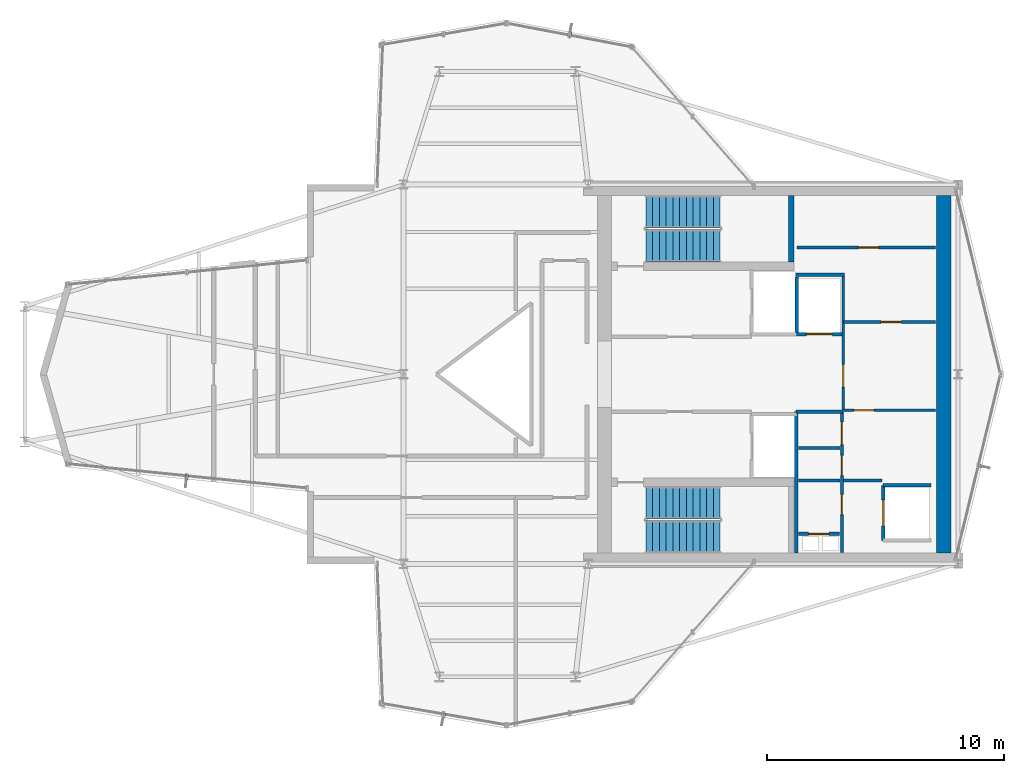
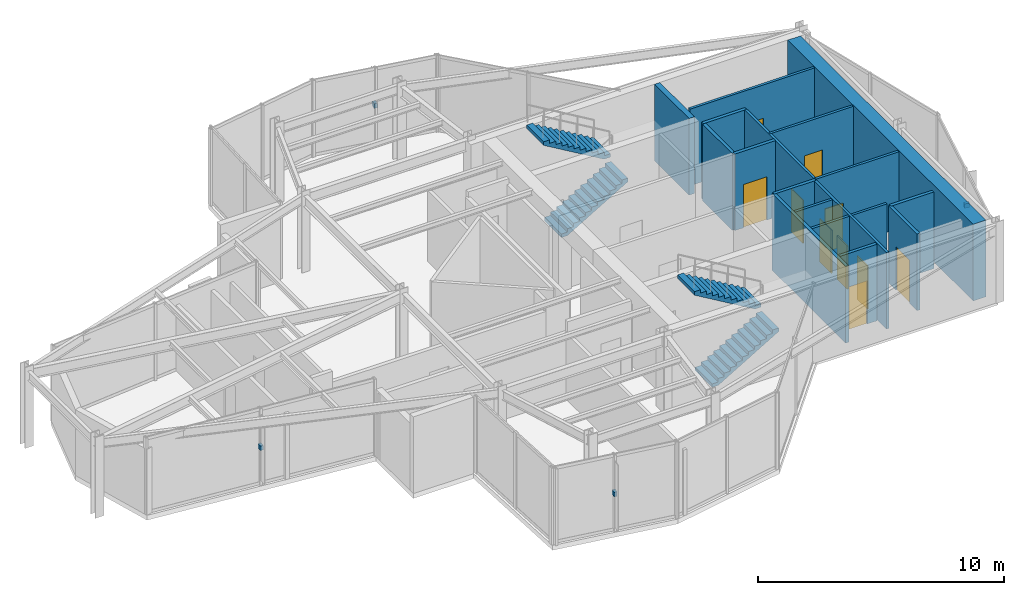
# One storey, part 13 of 14: 18 walls, 10 doors, 4 discrete accessories, 4 stair flights, 10 openings, 2 elements without a shape of their own.
"""IFC4 building model written with IfcOpenShell, lengths in metres."""

from ifc_helpers import new_model, si_unit, direction, frame, frame_2d, origin, origin_2d, place, context, subcontext, project, spatial, polyline, rectangle, outline, extrude, material, layer, layer_set, type_object, element, fill, aggregate, save


model = new_model("IFC4")

# Units and contexts
model_context = context("Model", 3, precision=1e-05, world=origin(), true_north=direction((0.0, 1.0)))
body_context = subcontext(model_context, "Body", "Model", "MODEL_VIEW")
ifc_project = project(units=[si_unit("LENGTHUNIT", "METRE"), si_unit("AREAUNIT", "SQUARE_METRE"), si_unit("VOLUMEUNIT", "CUBIC_METRE"), si_unit("PLANEANGLEUNIT", "RADIAN"), si_unit("MASSUNIT", "GRAM", prefix="KILO")], contexts=[model_context])

# Site, building, storey
site_placement = place(None, origin())
site = spatial("IfcSite", under=ifc_project, at=site_placement, CompositionType="ELEMENT")
building_placement = place(site_placement, origin())
building = spatial("IfcBuilding", under=site, at=building_placement, Name="Veymaron Broadcast Tower", CompositionType="ELEMENT")
storey_placement = place(building_placement, frame((0.0, 0.0, 270.89990234375)))
storey = spatial("IfcBuildingStorey", under=building, at=storey_placement, Name="L63", CompositionType="ELEMENT", Elevation=270.89990234375)

# Wall, opening, door
ifc_material_1 = material(Name="Gypsum fireboard and steel stud framing", Category="steel")
ifc_layer_1 = layer(ifc_material_1, 0.14990234375)
ifc_layer_set_1 = layer_set([ifc_layer_1], Name="Gypsum fireboard and steel stud framing")
wall_type_1 = type_object("IfcWallType", Name="WALL-FIRE-150", PredefinedType="PARTITIONING", material=ifc_layer_set_1)
wall_1_placement = place(storey_placement, frame((47.7900390625, 25.695068359375, 0.0), z_axis=(0.0, 0.0, 1.0), x_axis=(1.0, 0.0, 0.0)))
wall_1 = element("IfcWall", 1, at=wall_1_placement, inside=storey, type_object=wall_type_1, Name="L63 partition IW-L63-SHS-SL-1", PredefinedType="PARTITIONING", context=body_context, shape_type="SweptSolid", body=[
    extrude(rectangle(XDim=1.919921875, YDim=0.14990234375, at=frame_2d((0.9599609375, 0.0))), origin(), (0.0, 0.0, 1.0), 3.81005859375),
])
opening_1_placement = place(wall_1_placement, frame((0.409912109375, 0.0, 0.0)))
opening_1 = element("IfcOpeningElement", 2, at=opening_1_placement, cuts=wall_1, Name="Opening LD", PredefinedType="OPENING", context=body_context, shape_type="SweptSolid", body=[
    extrude(rectangle(XDim=1.10009765625, YDim=2.14990234375, at=frame_2d((0.550048828125, 1.074951171875))), frame((0.0, 0.0849609375, 0.0), z_axis=(0.0, -1.0, 0.0), x_axis=(1.0, 0.0, 0.0)), (0.0, 0.0, 1.0), 0.169921875),
])
ifc_material_2 = material(Name="Brushed stainless steel AISI 304", Category="steel")
door_type_1 = type_object("IfcDoorType", Name="DOOR-LIFT-1100", OperationType="DOUBLE_DOOR_SLIDING", PredefinedType="DOOR", material=ifc_material_2)
door_1_placement = place(opening_1_placement, frame((1.10009765625, 0.0, 0.0), z_axis=(0.0, 0.0, 1.0), x_axis=(-1.0, 0.0, 0.0)))
door_1 = element("IfcDoor", 3, at=door_1_placement, inside=storey, type_object=door_type_1, Name="L63 door LD-L63-SL-1", OperationType="DOUBLE_DOOR_SLIDING", OverallHeight=2.14990234375, OverallWidth=1.10009765625, PredefinedType="DOOR", context=body_context, shape_type="SweptSolid", body=[
    extrude(rectangle(XDim=1.10009765625, YDim=2.14990234375, at=frame_2d((0.550048828125, 1.074951171875))), frame((0.0, 0.02490234375, 0.0), z_axis=(0.0, -1.0, 0.0), x_axis=(1.0, 0.0, 0.0)), (0.0, 0.0, 1.0), 0.050048828125),
])
fill(opening_1, door_1)

# Wall
wall_2_placement = place(storey_placement, frame((47.7900390625, 25.695068359375, 0.0), z_axis=(0.0, 0.0, 1.0), x_axis=(0.0, 1.0, 0.0)))
element("IfcWall", 4, at=wall_2_placement, inside=storey, type_object=wall_type_1, Name="L63 partition IW-L63-SHW-SL-1", PredefinedType="PARTITIONING", context=body_context, shape_type="SweptSolid", body=[
    extrude(rectangle(XDim=2.4150390625, YDim=0.14990234375, at=frame_2d((1.20751953125, 0.0))), origin(), (0.0, 0.0, 1.0), 3.81005859375),
])

# Wall, opening, door
wall_3_placement = place(storey_placement, frame((51.445068359375, 16.989990234375, 0.0), z_axis=(0.0, 0.0, 1.0), x_axis=(0.0, 1.0, 0.0)))
wall_3 = element("IfcWall", 5, at=wall_3_placement, inside=storey, type_object=wall_type_1, Name="L63 partition IW-L63-SHW-PH1", PredefinedType="PARTITIONING", context=body_context, shape_type="SweptSolid", body=[
    extrude(rectangle(XDim=2.320068359375, YDim=0.14990234375, at=frame_2d((1.16015625, 0.0))), origin(), (0.0, 0.0, 1.0), 3.81005859375),
])
opening_2_placement = place(wall_3_placement, frame((0.610107421875, 0.0, 0.0)))
opening_2 = element("IfcOpeningElement", 6, at=opening_2_placement, cuts=wall_3, Name="Opening LD", PredefinedType="OPENING", context=body_context, shape_type="SweptSolid", body=[
    extrude(rectangle(XDim=1.10009765625, YDim=2.14990234375, at=frame_2d((0.550048828125, 1.074951171875))), frame((0.0, 0.0849609375, 0.0), z_axis=(0.0, -1.0, 0.0), x_axis=(1.0, 0.0, 0.0)), (0.0, 0.0, 1.0), 0.169921875),
])
door_2_placement = place(opening_2_placement, frame((1.10009765625, 0.0, 0.0), z_axis=(0.0, 0.0, 1.0), x_axis=(-1.0, 0.0, 0.0)))
door_2 = element("IfcDoor", 7, at=door_2_placement, inside=storey, type_object=door_type_1, Name="L63 door LD-L63-PH1", OperationType="DOUBLE_DOOR_SLIDING", OverallHeight=2.14990234375, OverallWidth=1.10009765625, PredefinedType="DOOR", context=body_context, shape_type="SweptSolid", body=[
    extrude(rectangle(XDim=1.10009765625, YDim=2.14990234375, at=frame_2d((0.550048828125, 1.074951171875))), frame((0.0, 0.02490234375, 0.0), z_axis=(0.0, -1.0, 0.0), x_axis=(1.0, 0.0, 0.0)), (0.0, 0.0, 1.0), 0.050048828125),
])
fill(opening_2, door_2)

# Wall
wall_4_placement = place(storey_placement, frame((51.445068359375, 19.31005859375, 0.0), z_axis=(0.0, 0.0, 1.0), x_axis=(1.0, 0.0, 0.0)))
element("IfcWall", 8, at=wall_4_placement, inside=storey, type_object=wall_type_1, Name="L63 partition IW-L63-SHN-PH1", PredefinedType="PARTITIONING", context=body_context, shape_type="SweptSolid", body=[
    extrude(rectangle(XDim=2.014892578125, YDim=0.14990234375, at=frame_2d((1.00732421875, 0.0))), origin(), (0.0, 0.0, 1.0), 3.81005859375),
])

# Wall, opening, door
wall_5_placement = place(storey_placement, frame((47.8798828125, 17.260009765625, 0.0), z_axis=(0.0, 0.0, 1.0), x_axis=(1.0, 0.0, 0.0)))
wall_5 = element("IfcWall", 9, at=wall_5_placement, inside=storey, type_object=wall_type_1, Name="L63 partition IW-L63-RIS-N", PredefinedType="PARTITIONING", context=body_context, shape_type="SweptSolid", body=[
    extrude(rectangle(XDim=1.72021484375, YDim=0.14990234375, at=frame_2d((0.860107421875, 0.0))), origin(), (0.0, 0.0, 1.0), 3.81005859375),
])
opening_3_placement = place(wall_5_placement, frame((0.419921875, 0.0, 0.0)))
opening_3 = element("IfcOpeningElement", 10, at=opening_3_placement, cuts=wall_5, Name="Opening ID-RS1", PredefinedType="OPENING", context=body_context, shape_type="SweptSolid", body=[
    extrude(rectangle(XDim=0.85009765625, YDim=2.14990234375, at=frame_2d((0.425048828125, 1.074951171875))), frame((0.0, 0.0849609375, 0.0), z_axis=(0.0, -1.0, 0.0), x_axis=(1.0, 0.0, 0.0)), (0.0, 0.0, 1.0), 0.169921875),
])
ifc_material_3 = material(Name="Fire-rated powder-coated steel riser leaf", Category="steel")
door_type_2 = type_object("IfcDoorType", Name="DOOR-RIS-850", OperationType="NOTDEFINED", PredefinedType="TRAPDOOR", material=ifc_material_3)
door_3_placement = place(opening_3_placement, origin())
door_3 = element("IfcDoor", 11, at=door_3_placement, inside=storey, type_object=door_type_2, Name="L63 door DR-L63-RIS", OperationType="SINGLE_SWING_LEFT", OverallHeight=2.14990234375, OverallWidth=0.85009765625, PredefinedType="TRAPDOOR", context=body_context, shape_type="SweptSolid", body=[
    extrude(rectangle(XDim=0.85009765625, YDim=2.14990234375, at=frame_2d((0.425048828125, 1.074951171875))), frame((0.0, 0.02490234375, 0.0), z_axis=(0.0, -1.0, 0.0), x_axis=(1.0, 0.0, 0.0)), (0.0, 0.0, 1.0), 0.050048828125),
])
fill(opening_3, door_3)

# Walls
wall_6_placement = place(storey_placement, frame((47.760009765625, 22.425048828125, 0.0), z_axis=(0.0, 0.0, 1.0), x_axis=(1.0, 0.0, 0.0)))
element("IfcWall", 12, at=wall_6_placement, inside=storey, type_object=wall_type_1, Name="L63 partition IW-L63-SM-N", PredefinedType="PARTITIONING", context=body_context, shape_type="SweptSolid", body=[
    extrude(rectangle(XDim=1.9599609375, YDim=0.14990234375, at=frame_2d((0.97998046875, 0.0))), origin(), (0.0, 0.0, 1.0), 3.81005859375),
])
wall_7_placement = place(storey_placement, frame((47.780029296875, 16.449951171875, 0.0), z_axis=(0.0, 0.0, 1.0), x_axis=(0.0, 1.0, 0.0)))
element("IfcWall", 13, at=wall_7_placement, inside=storey, type_object=wall_type_1, Name="L63 partition IW-L63-SM-W", PredefinedType="PARTITIONING", context=body_context, shape_type="SweptSolid", body=[
    extrude(rectangle(XDim=5.97509765625, YDim=0.14990234375, at=frame_2d((2.987548828125, 0.0))), origin(), (0.0, 0.0, 1.0), 3.81005859375),
])
wall_8_placement = place(storey_placement, frame((47.760009765625, 28.199951171875, 0.0), z_axis=(0.0, 0.0, 1.0), x_axis=(1.0, 0.0, 0.0)))
element("IfcWall", 14, at=wall_8_placement, inside=storey, type_object=wall_type_1, Name="L63 partition IW-L63-F3-SW", PredefinedType="PARTITIONING", context=body_context, shape_type="SweptSolid", body=[
    extrude(rectangle(XDim=2.0400390625, YDim=0.14990234375, at=frame_2d((1.02001953125, 0.0))), origin(), (0.0, 0.0, 1.0), 3.81005859375),
])
ifc_material_4 = material(Name="Acoustic gypsum board and galvanized stud", Category="gypsum")
ifc_layer_2 = layer(ifc_material_4, 0.1201171875)
ifc_layer_set_2 = layer_set([ifc_layer_2], Name="Acoustic gypsum board and galvanized stud")
wall_type_2 = type_object("IfcWallType", Name="WALL-PART-120", PredefinedType="PARTITIONING", material=ifc_layer_set_2)
for number, where, z_axis, x_axis, name in (
    (15, (47.860107421875, 19.52001953125, 0.0), (0.0, 0.0, 1.0), (1.0, 0.0, 0.0), "L63 partition IW-L63-SM-D1"),
    (16, (47.860107421875, 20.8798828125, 0.0), (0.0, 0.0, 1.0), (1.0, 0.0, 0.0), "L63 partition IW-L63-SM-D2"),
):
    element("IfcWall", number, at=place(storey_placement, frame(where, z_axis=z_axis, x_axis=x_axis)), inside=storey, type_object=wall_type_2, Name=name, PredefinedType="PARTITIONING", context=body_context, shape_type="SweptSolid", body=[
        extrude(rectangle(XDim=1.760009765625, YDim=0.1201171875, at=frame_2d((0.8798828125, 0.0))), origin(), (0.0, 0.0, 1.0), 3.81005859375),
    ])

# Wall, openings, doors
wall_9_placement = place(storey_placement, frame((49.699951171875, 16.47998046875, 0.0), z_axis=(0.0, 0.0, 1.0), x_axis=(0.0, 1.0, 0.0)))
wall_9 = element("IfcWall", 17, at=wall_9_placement, inside=storey, type_object=wall_type_2, Name="L63 partition IW-L63-SM-E", PredefinedType="PARTITIONING", context=body_context, shape_type="SweptSolid", body=[
    extrude(rectangle(XDim=5.945068359375, YDim=0.1201171875, at=frame_2d((2.97265625, 0.0))), origin(), (0.0, 0.0, 1.0), 3.81005859375),
])
opening_4_placement = place(wall_9_placement, frame((1.60009765625, 0.0, 0.0)))
opening_4 = element("IfcOpeningElement", 18, at=opening_4_placement, cuts=wall_9, Name="Opening ID-WC1", PredefinedType="OPENING", context=body_context, shape_type="SweptSolid", body=[
    extrude(rectangle(XDim=0.85009765625, YDim=2.14990234375, at=frame_2d((0.425048828125, 1.074951171875))), frame((0.0, 0.070068359375, 0.0), z_axis=(0.0, -1.0, 0.0), x_axis=(1.0, 0.0, 0.0)), (0.0, 0.0, 1.0), 0.14013671875),
])
opening_5_placement = place(wall_9_placement, frame((3.25, 0.0, 0.0)))
opening_5 = element("IfcOpeningElement", 19, at=opening_5_placement, cuts=wall_9, Name="Opening ID-WC1", PredefinedType="OPENING", context=body_context, shape_type="SweptSolid", body=[
    extrude(rectangle(XDim=0.85009765625, YDim=2.14990234375, at=frame_2d((0.425048828125, 1.074951171875))), frame((0.0, 0.070068359375, 0.0), z_axis=(0.0, -1.0, 0.0), x_axis=(1.0, 0.0, 0.0)), (0.0, 0.0, 1.0), 0.14013671875),
])
opening_6_placement = place(wall_9_placement, frame((4.550048828125, 0.0, 0.0)))
opening_6 = element("IfcOpeningElement", 20, at=opening_6_placement, cuts=wall_9, Name="Opening ID-RM1", PredefinedType="OPENING", context=body_context, shape_type="SweptSolid", body=[
    extrude(rectangle(XDim=0.949951171875, YDim=2.14990234375, at=frame_2d((0.47509765625, 1.074951171875))), frame((0.0, 0.070068359375, 0.0), z_axis=(0.0, -1.0, 0.0), x_axis=(1.0, 0.0, 0.0)), (0.0, 0.0, 1.0), 0.14013671875),
])
ifc_material_5 = material(Name="Moisture-resistant high-pressure laminate timber", Category="wood")
door_type_3 = type_object("IfcDoorType", Name="DOOR-INT-850", OperationType="NOTDEFINED", PredefinedType="DOOR", material=ifc_material_5)
door_4_placement = place(opening_4_placement, frame((0.85009765625, 0.0, 0.0), z_axis=(0.0, 0.0, 1.0), x_axis=(-1.0, 0.0, 0.0)))
door_4 = element("IfcDoor", 21, at=door_4_placement, inside=storey, type_object=door_type_3, Name="L63 door DR-L63-JST", OperationType="SINGLE_SWING_LEFT", OverallHeight=2.14990234375, OverallWidth=0.85009765625, PredefinedType="DOOR", context=body_context, shape_type="SweptSolid", body=[
    extrude(rectangle(XDim=0.85009765625, YDim=2.14990234375, at=frame_2d((0.425048828125, 1.074951171875))), frame((0.0, 0.02490234375, 0.0), z_axis=(0.0, -1.0, 0.0), x_axis=(1.0, 0.0, 0.0)), (0.0, 0.0, 1.0), 0.050048828125),
])
fill(opening_4, door_4)
door_5_placement = place(opening_5_placement, frame((0.85009765625, 0.0, 0.0), z_axis=(0.0, 0.0, 1.0), x_axis=(-1.0, 0.0, 0.0)))
door_5 = element("IfcDoor", 22, at=door_5_placement, inside=storey, type_object=door_type_3, Name="L63 door DR-L63-SWC", OperationType="SINGLE_SWING_RIGHT", OverallHeight=2.14990234375, OverallWidth=0.85009765625, PredefinedType="DOOR", context=body_context, shape_type="SweptSolid", body=[
    extrude(rectangle(XDim=0.85009765625, YDim=2.14990234375, at=frame_2d((0.425048828125, 1.074951171875))), frame((0.0, 0.02490234375, 0.0), z_axis=(0.0, -1.0, 0.0), x_axis=(1.0, 0.0, 0.0)), (0.0, 0.0, 1.0), 0.050048828125),
])
fill(opening_5, door_5)
ifc_material_6 = material(Name="Acoustic solid-core European oak veneer timber", Category="wood")
door_type_4 = type_object("IfcDoorType", Name="DOOR-INT-950", OperationType="NOTDEFINED", PredefinedType="DOOR", material=ifc_material_6)
door_6_placement = place(opening_6_placement, frame((0.949951171875, 0.0, 0.0), z_axis=(0.0, 0.0, 1.0), x_axis=(-1.0, 0.0, 0.0)))
door_6 = element("IfcDoor", 23, at=door_6_placement, inside=storey, type_object=door_type_4, Name="L63 door DR-L63-AWC", OperationType="SINGLE_SWING_LEFT", OverallHeight=2.14990234375, OverallWidth=0.949951171875, PredefinedType="DOOR", context=body_context, shape_type="SweptSolid", body=[
    extrude(rectangle(XDim=0.949951171875, YDim=2.14990234375, at=frame_2d((0.47509765625, 1.074951171875))), frame((0.0, 0.02490234375, 0.0), z_axis=(0.0, -1.0, 0.0), x_axis=(1.0, 0.0, 0.0)), (0.0, 0.0, 1.0), 0.050048828125),
])
fill(opening_6, door_6)

# Wall, opening, door
wall_10_placement = place(storey_placement, frame((49.760009765625, 22.47998046875, 0.0), z_axis=(0.0, 0.0, 1.0), x_axis=(1.0, 0.0, 0.0)))
wall_10 = element("IfcWall", 24, at=wall_10_placement, inside=storey, type_object=wall_type_2, Name="L63 partition IW-L63-F3S-N", PredefinedType="PARTITIONING", context=body_context, shape_type="SweptSolid", body=[
    extrude(rectangle(XDim=3.89990234375, YDim=0.1201171875, at=frame_2d((1.949951171875, 0.0))), origin(), (0.0, 0.0, 1.0), 3.81005859375),
])
opening_7_placement = place(wall_10_placement, frame((0.449951171875, 0.0, 0.0)))
opening_7 = element("IfcOpeningElement", 25, at=opening_7_placement, cuts=wall_10, Name="Opening ID-WC1", PredefinedType="OPENING", context=body_context, shape_type="SweptSolid", body=[
    extrude(rectangle(XDim=0.85009765625, YDim=2.14990234375, at=frame_2d((0.425048828125, 1.074951171875))), frame((0.0, 0.070068359375, 0.0), z_axis=(0.0, -1.0, 0.0), x_axis=(1.0, 0.0, 0.0)), (0.0, 0.0, 1.0), 0.14013671875),
])
door_7_placement = place(opening_7_placement, frame((0.85009765625, 0.0, 0.0), z_axis=(0.0, 0.0, 1.0), x_axis=(-1.0, 0.0, 0.0)))
door_7 = element("IfcDoor", 26, at=door_7_placement, inside=storey, type_object=door_type_3, Name="L63 door DR-L63-F3S", OperationType="SINGLE_SWING_LEFT", OverallHeight=2.14990234375, OverallWidth=0.85009765625, PredefinedType="DOOR", context=body_context, shape_type="SweptSolid", body=[
    extrude(rectangle(XDim=0.85009765625, YDim=2.14990234375, at=frame_2d((0.425048828125, 1.074951171875))), frame((0.0, 0.02490234375, 0.0), z_axis=(0.0, -1.0, 0.0), x_axis=(1.0, 0.0, 0.0)), (0.0, 0.0, 1.0), 0.050048828125),
])
fill(opening_7, door_7)

# Wall
wall_11_placement = place(storey_placement, frame((49.760009765625, 19.52001953125, 0.0), z_axis=(0.0, 0.0, 1.0), x_axis=(1.0, 0.0, 0.0)))
element("IfcWall", 27, at=wall_11_placement, inside=storey, type_object=wall_type_2, Name="L63 partition IW-L63-F3S-S", PredefinedType="PARTITIONING", context=body_context, shape_type="SweptSolid", body=[
    extrude(rectangle(XDim=1.639892578125, YDim=0.1201171875, at=frame_2d((0.81982421875, 0.0))), origin(), (0.0, 0.0, 1.0), 3.81005859375),
])

# Wall, opening, door
wall_12_placement = place(storey_placement, frame((49.760009765625, 22.5, 0.0), z_axis=(0.0, 0.0, 1.0), x_axis=(0.0, 1.0, 0.0)))
wall_12 = element("IfcWall", 28, at=wall_12_placement, inside=storey, type_object=wall_type_2, Name="L63 partition IW-L63-F3-W", PredefinedType="PARTITIONING", context=body_context, shape_type="SweptSolid", body=[
    extrude(rectangle(XDim=5.719970703125, YDim=0.1201171875, at=frame_2d((2.85986328125, 0.0))), origin(), (0.0, 0.0, 1.0), 3.81005859375),
])
opening_8_placement = place(wall_12_placement, frame((0.949951171875, 0.0, 0.0)))
opening_8 = element("IfcOpeningElement", 29, at=opening_8_placement, cuts=wall_12, Name="Opening ID-RM1", PredefinedType="OPENING", context=body_context, shape_type="SweptSolid", body=[
    extrude(rectangle(XDim=0.949951171875, YDim=2.14990234375, at=frame_2d((0.47509765625, 1.074951171875))), frame((0.0, 0.070068359375, 0.0), z_axis=(0.0, -1.0, 0.0), x_axis=(1.0, 0.0, 0.0)), (0.0, 0.0, 1.0), 0.14013671875),
])
door_8_placement = place(opening_8_placement, origin())
door_8 = element("IfcDoor", 30, at=door_8_placement, inside=storey, type_object=door_type_4, Name="L63 door DR-L63-F3A", OperationType="SINGLE_SWING_LEFT", OverallHeight=2.14990234375, OverallWidth=0.949951171875, PredefinedType="DOOR", context=body_context, shape_type="SweptSolid", body=[
    extrude(rectangle(XDim=0.949951171875, YDim=2.14990234375, at=frame_2d((0.47509765625, 1.074951171875))), frame((0.0, 0.02490234375, 0.0), z_axis=(0.0, -1.0, 0.0), x_axis=(1.0, 0.0, 0.0)), (0.0, 0.0, 1.0), 0.050048828125),
])
fill(opening_8, door_8)

wall_13_placement = place(storey_placement, frame((49.760009765625, 26.199951171875, 0.0), z_axis=(0.0, 0.0, 1.0), x_axis=(1.0, 0.0, 0.0)))
wall_13 = element("IfcWall", 31, at=wall_13_placement, inside=storey, type_object=wall_type_2, Name="L63 partition IW-L63-F3-M1", PredefinedType="PARTITIONING", context=body_context, shape_type="SweptSolid", body=[
    extrude(rectangle(XDim=3.89990234375, YDim=0.1201171875, at=frame_2d((1.949951171875, 0.0))), origin(), (0.0, 0.0, 1.0), 3.81005859375),
])
opening_9_placement = place(wall_13_placement, frame((1.60009765625, 0.0, 0.0)))
opening_9 = element("IfcOpeningElement", 32, at=opening_9_placement, cuts=wall_13, Name="Opening ID-WC1", PredefinedType="OPENING", context=body_context, shape_type="SweptSolid", body=[
    extrude(rectangle(XDim=0.85009765625, YDim=2.14990234375, at=frame_2d((0.425048828125, 1.074951171875))), frame((0.0, 0.070068359375, 0.0), z_axis=(0.0, -1.0, 0.0), x_axis=(1.0, 0.0, 0.0)), (0.0, 0.0, 1.0), 0.14013671875),
])
door_9_placement = place(opening_9_placement, origin())
door_9 = element("IfcDoor", 33, at=door_9_placement, inside=storey, type_object=door_type_3, Name="L63 door DR-L63-F3B", OperationType="SINGLE_SWING_LEFT", OverallHeight=2.14990234375, OverallWidth=0.85009765625, PredefinedType="DOOR", context=body_context, shape_type="SweptSolid", body=[
    extrude(rectangle(XDim=0.85009765625, YDim=2.14990234375, at=frame_2d((0.425048828125, 1.074951171875))), frame((0.0, 0.02490234375, 0.0), z_axis=(0.0, -1.0, 0.0), x_axis=(1.0, 0.0, 0.0)), (0.0, 0.0, 1.0), 0.050048828125),
])
fill(opening_9, door_9)

wall_14_placement = place(storey_placement, frame((47.800048828125, 29.35009765625, 0.0), z_axis=(0.0, 0.0, 1.0), x_axis=(1.0, 0.0, 0.0)))
wall_14 = element("IfcWall", 34, at=wall_14_placement, inside=storey, type_object=wall_type_2, Name="L63 partition IW-L63-F3-M2", PredefinedType="PARTITIONING", context=body_context, shape_type="SweptSolid", body=[
    extrude(rectangle(XDim=5.85986328125, YDim=0.1201171875, at=frame_2d((2.929931640625, 0.0))), origin(), (0.0, 0.0, 1.0), 3.81005859375),
])
opening_10_placement = place(wall_14_placement, frame((2.60009765625, 0.0, 0.0)))
opening_10 = element("IfcOpeningElement", 35, at=opening_10_placement, cuts=wall_14, Name="Opening ID-WC1", PredefinedType="OPENING", context=body_context, shape_type="SweptSolid", body=[
    extrude(rectangle(XDim=0.85009765625, YDim=2.14990234375, at=frame_2d((0.425048828125, 1.074951171875))), frame((0.0, 0.070068359375, 0.0), z_axis=(0.0, -1.0, 0.0), x_axis=(1.0, 0.0, 0.0)), (0.0, 0.0, 1.0), 0.14013671875),
])
door_10_placement = place(opening_10_placement, origin())
door_10 = element("IfcDoor", 36, at=door_10_placement, inside=storey, type_object=door_type_3, Name="L63 door DR-L63-F3C", OperationType="SINGLE_SWING_RIGHT", OverallHeight=2.14990234375, OverallWidth=0.85009765625, PredefinedType="DOOR", context=body_context, shape_type="SweptSolid", body=[
    extrude(rectangle(XDim=0.85009765625, YDim=2.14990234375, at=frame_2d((0.425048828125, 1.074951171875))), frame((0.0, 0.02490234375, 0.0), z_axis=(0.0, -1.0, 0.0), x_axis=(1.0, 0.0, 0.0)), (0.0, 0.0, 1.0), 0.050048828125),
])
fill(opening_10, door_10)

# Walls
ifc_material_7 = material(Name="Concrete C50/60", Category="concrete")
ifc_layer_3 = layer(ifc_material_7, 0.25)
ifc_layer_set_3 = layer_set([ifc_layer_3], Name="Concrete C50/60")
wall_type_3 = type_object("IfcWallType", Name="WALL-SHEAR-250", PredefinedType="SHEAR", material=ifc_layer_set_3)
wall_15_placement = place(storey_placement, frame((47.56494140625, 28.72998046875, 0.0), z_axis=(0.0, 0.0, 1.0), x_axis=(0.0, 1.0, 0.0)))
element("IfcWall", 37, at=wall_15_placement, inside=storey, type_object=wall_type_3, Name="L63 Core Wall north stair east shear", PredefinedType="SHEAR", context=body_context, shape_type="SweptSolid", body=[
    extrude(rectangle(XDim=2.820068359375, YDim=0.25, at=frame_2d((1.41015625, 0.0))), origin(), (0.0, 0.0, 1.0), 3.81005859375),
])
ifc_layer_4 = layer(ifc_material_7, 0.60009765625)
ifc_layer_set_4 = layer_set([ifc_layer_4], Name="Concrete C50/60")
wall_type_4 = type_object("IfcWallType", Name="WALL-SHEAR-600", PredefinedType="SHEAR", material=ifc_layer_set_4)
wall_16_placement = place(storey_placement, frame((54.0, 16.449951171875, 0.0), z_axis=(0.0, 0.0, 1.0), x_axis=(0.0, 1.0, 0.0)))
element("IfcWall", 38, at=wall_16_placement, inside=storey, type_object=wall_type_4, Name="L63 Core Wall east shear", PredefinedType="SHEAR", context=body_context, shape_type="SweptSolid", body=[
    extrude(rectangle(XDim=15.10009765625, YDim=0.60009765625, at=frame_2d((7.550048828125, 0.0))), origin(), (0.0, 0.0, 1.0), 3.81005859375),
])

# Stair, stair flights
stair_type_1 = type_object("IfcStairType", Name="STAIR-CORE-1", PredefinedType="HALF_TURN_STAIR", material=ifc_material_7)
stair_1_placement = place(storey_placement, origin())
stair_1 = element("IfcStair", 39, at=stair_1_placement, inside=storey, type_object=stair_type_1, Name="L63 North protected dog-leg exit stair ST1", PredefinedType="HALF_TURN_STAIR")
ifc_material_8 = material(Name="Precast concrete C50/60", Category="concrete")
stair_flight_type = type_object("IfcStairFlightType", Name="FLT-CORE-RC", PredefinedType="STRAIGHT", material=ifc_material_8)
stair_flight_1_placement = place(storey_placement, frame((41.429931640625, 29.419921875, 0.0), z_axis=(0.0, 0.0, 1.0), x_axis=(1.0, 0.0, 0.0)))
stair_flight_1 = element("IfcStairFlight", 40, at=stair_flight_1_placement, type_object=stair_flight_type, Name="ST1 flight 1", NumberOfRisers=12, NumberOfTreads=11, PredefinedType="STRAIGHT", RiserHeight=0.16875, TreadLength=0.285, context=body_context, shape_type="SweptSolid", body=[
    extrude(outline(polyline([(0.0, 0.0), (0.0, 0.168701171875), (0.284912109375, 0.168701171875), (0.284912109375, 0.33740234375), (0.570068359375, 0.33740234375), (0.570068359375, 0.50634765625), (0.85498046875, 0.50634765625), (0.85498046875, 0.675048828125), (1.139892578125, 0.675048828125), (1.139892578125, 0.84375), (1.425048828125, 0.84375), (1.425048828125, 1.012451171875), (1.7099609375, 1.012451171875), (1.7099609375, 1.18115234375), (1.9951171875, 1.18115234375), (1.9951171875, 1.35009765625), (2.280029296875, 1.35009765625), (2.280029296875, 1.518798828125), (2.56494140625, 1.518798828125), (2.56494140625, 1.6875), (2.85009765625, 1.6875), (2.85009765625, 1.856201171875), (3.135009765625, 1.856201171875), (3.135009765625, 2.02490234375), (3.135009765625, 1.68212890625), (0.294189453125, 0.0), (0.0, 0.0)])), frame((0.0, 0.68994140625, 0.0), z_axis=(0.0, -1.0, 0.0), x_axis=(1.0, 0.0, 0.0)), (0.0, 0.0, 1.0), 1.3798828125),
])
stair_flight_2_placement = place(storey_placement, frame((44.56494140625, 30.860107421875, 2.025146484375), z_axis=(0.0, 0.0, 1.0), x_axis=(-1.0, 0.0, 0.0)))
stair_flight_2 = element("IfcStairFlight", 41, at=stair_flight_2_placement, type_object=stair_flight_type, Name="ST1 flight 2", NumberOfRisers=12, NumberOfTreads=11, PredefinedType="STRAIGHT", RiserHeight=0.16875, TreadLength=0.285, context=body_context, shape_type="SweptSolid", body=[
    extrude(outline(polyline([(0.0, 0.0), (0.0, 0.168701171875), (0.284912109375, 0.168701171875), (0.284912109375, 0.33740234375), (0.570068359375, 0.33740234375), (0.570068359375, 0.50634765625), (0.85498046875, 0.50634765625), (0.85498046875, 0.675048828125), (1.139892578125, 0.675048828125), (1.139892578125, 0.84375), (1.425048828125, 0.84375), (1.425048828125, 1.012451171875), (1.7099609375, 1.012451171875), (1.7099609375, 1.18115234375), (1.9951171875, 1.18115234375), (1.9951171875, 1.35009765625), (2.280029296875, 1.35009765625), (2.280029296875, 1.518798828125), (2.56494140625, 1.518798828125), (2.56494140625, 1.6875), (2.85009765625, 1.6875), (2.85009765625, 1.856201171875), (3.135009765625, 1.856201171875), (3.135009765625, 2.02490234375), (3.135009765625, 1.68212890625), (0.294189453125, 0.0), (0.0, 0.0)])), frame((0.0, 0.68994140625, 0.0), z_axis=(0.0, -1.0, 0.0), x_axis=(1.0, 0.0, 0.0)), (0.0, 0.0, 1.0), 1.3798828125),
])
aggregate(stair_1, [stair_flight_1, stair_flight_2])

stair_type_2 = type_object("IfcStairType", Name="STAIR-CORE-2", PredefinedType="HALF_TURN_STAIR", material=ifc_material_7)
stair_2_placement = place(storey_placement, origin())
stair_2 = element("IfcStair", 42, at=stair_2_placement, inside=storey, type_object=stair_type_2, Name="L63 South protected dog-leg exit stair ST2", PredefinedType="HALF_TURN_STAIR")
stair_flight_3_placement = place(storey_placement, frame((41.429931640625, 17.139892578125, 0.0), z_axis=(0.0, 0.0, 1.0), x_axis=(1.0, 0.0, 0.0)))
stair_flight_3 = element("IfcStairFlight", 43, at=stair_flight_3_placement, type_object=stair_flight_type, Name="ST2 flight 1", NumberOfRisers=12, NumberOfTreads=11, PredefinedType="STRAIGHT", RiserHeight=0.16875, TreadLength=0.285, context=body_context, shape_type="SweptSolid", body=[
    extrude(outline(polyline([(0.0, 0.0), (0.0, 0.168701171875), (0.284912109375, 0.168701171875), (0.284912109375, 0.33740234375), (0.570068359375, 0.33740234375), (0.570068359375, 0.50634765625), (0.85498046875, 0.50634765625), (0.85498046875, 0.675048828125), (1.139892578125, 0.675048828125), (1.139892578125, 0.84375), (1.425048828125, 0.84375), (1.425048828125, 1.012451171875), (1.7099609375, 1.012451171875), (1.7099609375, 1.18115234375), (1.9951171875, 1.18115234375), (1.9951171875, 1.35009765625), (2.280029296875, 1.35009765625), (2.280029296875, 1.518798828125), (2.56494140625, 1.518798828125), (2.56494140625, 1.6875), (2.85009765625, 1.6875), (2.85009765625, 1.856201171875), (3.135009765625, 1.856201171875), (3.135009765625, 2.02490234375), (3.135009765625, 1.68212890625), (0.294189453125, 0.0), (0.0, 0.0)])), frame((0.0, 0.68994140625, 0.0), z_axis=(0.0, -1.0, 0.0), x_axis=(1.0, 0.0, 0.0)), (0.0, 0.0, 1.0), 1.3798828125),
])
stair_flight_4_placement = place(storey_placement, frame((44.56494140625, 18.580078125, 2.025146484375), z_axis=(0.0, 0.0, 1.0), x_axis=(-1.0, 0.0, 0.0)))
stair_flight_4 = element("IfcStairFlight", 44, at=stair_flight_4_placement, type_object=stair_flight_type, Name="ST2 flight 2", NumberOfRisers=12, NumberOfTreads=11, PredefinedType="STRAIGHT", RiserHeight=0.16875, TreadLength=0.285, context=body_context, shape_type="SweptSolid", body=[
    extrude(outline(polyline([(0.0, 0.0), (0.0, 0.168701171875), (0.284912109375, 0.168701171875), (0.284912109375, 0.33740234375), (0.570068359375, 0.33740234375), (0.570068359375, 0.50634765625), (0.85498046875, 0.50634765625), (0.85498046875, 0.675048828125), (1.139892578125, 0.675048828125), (1.139892578125, 0.84375), (1.425048828125, 0.84375), (1.425048828125, 1.012451171875), (1.7099609375, 1.012451171875), (1.7099609375, 1.18115234375), (1.9951171875, 1.18115234375), (1.9951171875, 1.35009765625), (2.280029296875, 1.35009765625), (2.280029296875, 1.518798828125), (2.56494140625, 1.518798828125), (2.56494140625, 1.6875), (2.85009765625, 1.6875), (2.85009765625, 1.856201171875), (3.135009765625, 1.856201171875), (3.135009765625, 2.02490234375), (3.135009765625, 1.68212890625), (0.294189453125, 0.0), (0.0, 0.0)])), frame((0.0, 0.68994140625, 0.0), z_axis=(0.0, -1.0, 0.0), x_axis=(1.0, 0.0, 0.0)), (0.0, 0.0, 1.0), 1.3798828125),
])
aggregate(stair_2, [stair_flight_3, stair_flight_4])

# Discrete accessories
ifc_material_9 = material(Name="Austenitic stainless steel AISI 316L", Category="steel")
ifc_layer_5 = layer(ifc_material_9, 0.1201171875)
ifc_layer_set_5 = layer_set([ifc_layer_5], Name="Austenitic stainless steel AISI 316L")
discrete_accessory_type = type_object("IfcDiscreteAccessoryType", Name="ACC-BRKT-SS1", PredefinedType="BRACKET", material=ifc_layer_set_5)
for number, where, z_axis, x_axis, name in (
    (45, (55.520751953125, 20.135986328125, 1.794921875), (0.0, 0.0, 1.0), (0.971825407238, -0.235701883419, 0.0), "CW-L63-E2-1 fin bracket 1"),
    (46, (38.21728515625, 38.3583984375, 1.794921875), (0.0, 0.0, 1.0), (0.186369710761, 0.982479684732, 0.0), "CW-L63-E6-1 fin bracket 1"),
    (47, (22.048828125, 19.6474609375, 1.794921875), (0.0, 0.0, 1.0), (-0.101160480293, -0.994870120783, 0.0), "CW-L63-E14-1 fin bracket 1"),
    (48, (32.8876953125, 9.595703125, 1.794921875), (0.0, 0.0, 1.0), (-0.169934314736, -0.98545539152, 0.0), "CW-L63-E18-1 fin bracket 1"),
):
    element("IfcDiscreteAccessory", number, at=place(storey_placement, frame(where, z_axis=z_axis, x_axis=x_axis)), inside=storey, type_object=discrete_accessory_type, Name=name, PredefinedType="BRACKET", context=body_context, shape_type="SweptSolid", body=[
        extrude(rectangle(XDim=0.219970703125, YDim=0.139892578125, at=origin_2d()), origin(), (0.0, 0.0, 1.0), 0.219970703125),
    ])

save(model, "model.ifc")
